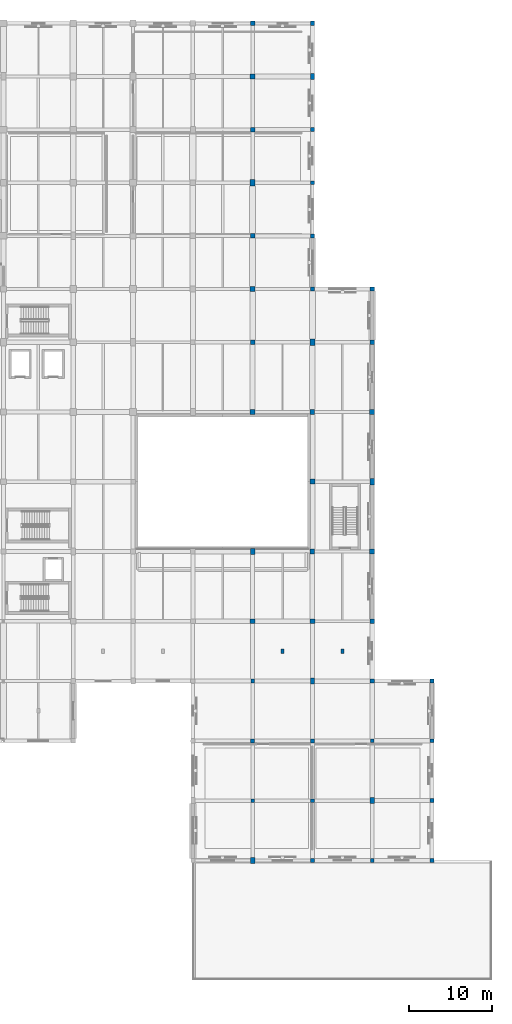
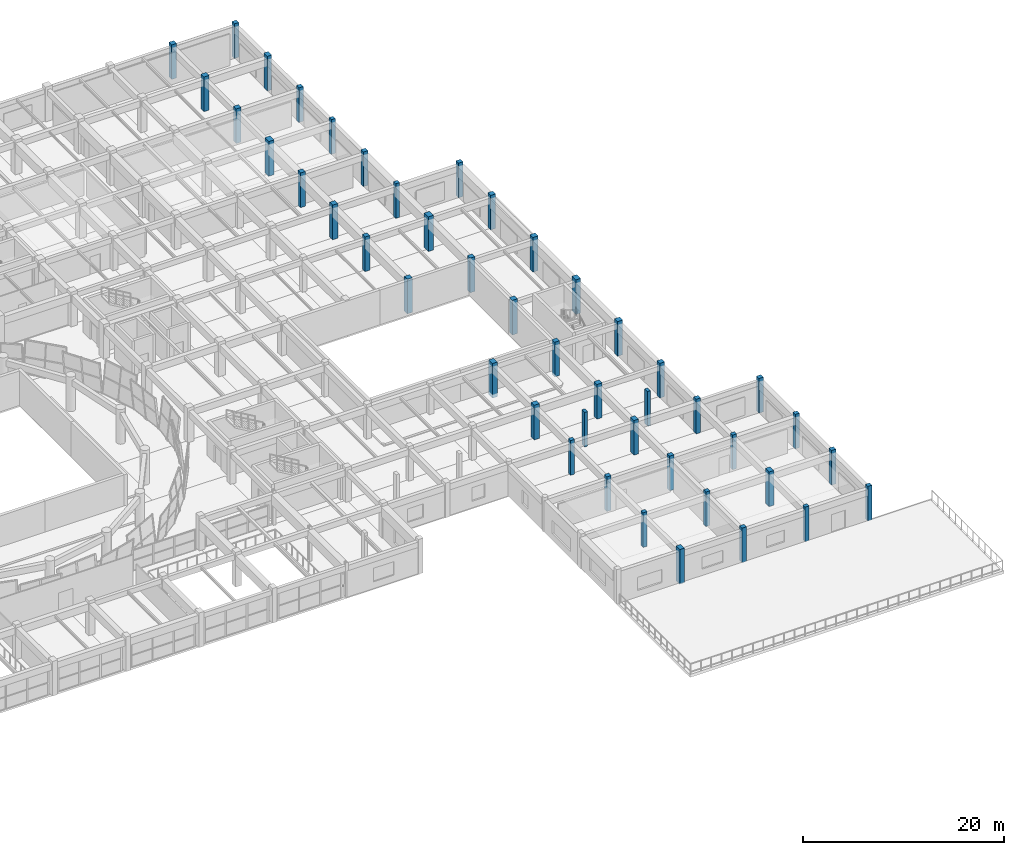
# One storey, part 9 of 71: 45 columns.
"""IFC4 building model written with IfcOpenShell, lengths in metres."""

import ifcopenshell
import ifcopenshell.guid

model = None  # the IFC model being written
_history = None  # IfcOwnerHistory: only IFC2X3 demands one
_inside = {}  # id of a spatial element -> (the spatial element, [elements in it])
_under = {}  # id of a project, library or spatial element -> (it, [spatial elements below it])
_declared = {}  # id of a project -> (the project, [libraries it declares])
_typed = {}  # id of a type object -> (the type object, [elements of that type])
_made_of = {}  # id of a material, layer set ... -> (it, [elements and type objects made of it])


def new_model(schema):
    """Start an empty IFC model of exactly this schema.

    Asked for "IFC4X3", IfcOpenShell would pick the latest addendum, in which some entities
    have other attributes; the version numbers below select the first issue.
    IFC2X3 requires an IfcOwnerHistory on every rooted entity: one is made here for all.
    """
    global model, _history
    if schema == "IFC4X3":
        model = ifcopenshell.file(schema_version=(4, 3, 0, 0))
    else:
        model = ifcopenshell.file(schema=schema)
    _inside.clear()
    _under.clear()
    _declared.clear()
    _typed.clear()
    _made_of.clear()
    _history = None
    if model.schema == "IFC2X3":
        org = make("IfcOrganization", Name="unknown")
        user = make(
            "IfcPersonAndOrganization",
            ThePerson=make("IfcPerson", FamilyName="unknown"),
            TheOrganization=org,
        )
        app = make(
            "IfcApplication",
            ApplicationDeveloper=org,
            Version="unknown",
            ApplicationFullName="unknown",
            ApplicationIdentifier="unknown",
        )
        _history = make(
            "IfcOwnerHistory",
            OwningUser=user,
            OwningApplication=app,
            ChangeAction="ADDED",
            CreationDate=0,
        )
    return model


def make(cls, **values):
    """One entity of the class cls with the attributes given. An attribute that is None is left unset."""
    return model.create_entity(
        cls, **{name: value for name, value in values.items() if value is not None}
    )


def rooted(cls, **values):
    """An entity with a GlobalId (a new one), such as an element, a storey or a relation."""
    return make(cls, GlobalId=ifcopenshell.guid.new(), OwnerHistory=_history, **values)


def si_unit(unit_type, name, prefix=None):
    """IfcSIUnit, for example si_unit("LENGTHUNIT", "METRE", prefix="MILLI")."""
    return make("IfcSIUnit", UnitType=unit_type, Prefix=prefix, Name=name)


def assignment(units):
    """IfcUnitAssignment: the units of a project."""
    return None if units is None else make("IfcUnitAssignment", Units=units)


def point(xyz):
    """IfcCartesianPoint."""
    return None if xyz is None else make("IfcCartesianPoint", Coordinates=xyz)


def direction(xyz):
    """IfcDirection."""
    return None if xyz is None else make("IfcDirection", DirectionRatios=xyz)


def frame(location, z_axis=None, x_axis=None):
    """IfcAxis2Placement3D, a coordinate frame: its origin and axes. An axis left out is left unset."""
    return make(
        "IfcAxis2Placement3D",
        Location=point(location),
        Axis=direction(z_axis),
        RefDirection=direction(x_axis),
    )


def frame_2d(location, x_axis=None):
    """IfcAxis2Placement2D, a coordinate frame in the plane: its origin and x axis."""
    return make(
        "IfcAxis2Placement2D", Location=point(location), RefDirection=direction(x_axis)
    )


def origin():
    """The frame at (0, 0, 0) with its axes left unset."""
    return frame((0.0, 0.0, 0.0))


def origin_2d():
    """The frame at (0, 0) in the plane with its x axis left unset."""
    return frame_2d((0.0, 0.0))


def place(relative_to, where):
    """IfcLocalPlacement: puts the frame where relative to a parent placement (None: the world)."""
    return make(
        "IfcLocalPlacement", PlacementRelTo=relative_to, RelativePlacement=where
    )


def context(
    kind, dimensions, precision=None, world=None, true_north=None, identifier=None
):
    """IfcGeometricRepresentationContext, for example the 3D "Model" context."""
    return make(
        "IfcGeometricRepresentationContext",
        ContextIdentifier=identifier,
        ContextType=kind,
        CoordinateSpaceDimension=dimensions,
        Precision=precision,
        WorldCoordinateSystem=world,
        TrueNorth=true_north,
    )


def subcontext(parent, identifier, kind, view, scale=None):
    """IfcGeometricRepresentationSubContext, for example "Body" below "Model"."""
    return make(
        "IfcGeometricRepresentationSubContext",
        ContextIdentifier=identifier,
        ContextType=kind,
        ParentContext=parent,
        TargetScale=scale,
        TargetView=view,
    )


def project(units=None, contexts=None):
    """IfcProject with its units and contexts."""
    return rooted(
        "IfcProject",
        Name="project",
        RepresentationContexts=contexts,
        UnitsInContext=assignment(units),
    )


def spatial(cls, under=None, at=None, **own):
    """A site, building, storey or space (cls), placed at a placement, below another one or the project."""
    s = rooted(cls, ObjectPlacement=at, **own)
    if under is not None:
        _under.setdefault(under.id(), (under, []))[1].append(s)
    return s


def profile(cls, at=None, kind="AREA", **sizes):
    """A parametric profile (cls). Its sizes go by their IFC names, for example OverallWidth=200.0."""
    return make(cls, ProfileType=kind, Position=at, **sizes)


def rectangle(**sizes):
    """IfcRectangleProfileDef."""
    return profile("IfcRectangleProfileDef", **sizes)


def extrude(swept, where, along, depth):
    """IfcExtrudedAreaSolid: the profile swept, set in the frame where, extruded along a direction by depth."""
    return make(
        "IfcExtrudedAreaSolid",
        SweptArea=swept,
        Position=where,
        ExtrudedDirection=direction(along),
        Depth=depth,
    )


def shape(context_of_items, identifier, shape_type, items):
    """IfcShapeRepresentation: the items that make up one representation, for example the "Body"."""
    return make(
        "IfcShapeRepresentation",
        ContextOfItems=context_of_items,
        RepresentationIdentifier=identifier,
        RepresentationType=shape_type,
        Items=items,
    )


def material(Name=None, Category=None):
    """IfcMaterial."""
    return make("IfcMaterial", Name=Name, Category=Category)


def material_profile(
    of_material, cross_section, Name=None, Category=None, Priority=None
):
    """IfcMaterialProfile: a cross section and its material."""
    return make(
        "IfcMaterialProfile",
        Name=Name,
        Material=of_material,
        Profile=cross_section,
        Priority=Priority,
        Category=Category,
    )


def profile_set(profiles, Name=None, composite=None):
    """IfcMaterialProfileSet."""
    return make(
        "IfcMaterialProfileSet",
        Name=Name,
        MaterialProfiles=profiles,
        CompositeProfile=composite,
    )


def made_of(thing, what):
    """Note that an element or type object is made of a material, layer set ...; save() writes the relation."""
    if what is not None:
        _made_of.setdefault(what.id(), (what, []))[1].append(thing)
    return thing


def type_object(cls, material=None, **own):
    """A type object (cls), such as IfcWallType, which elements share."""
    return made_of(rooted(cls, **own), material)


def element(
    cls,
    number,
    at=None,
    inside=None,
    cuts=None,
    type_object=None,
    material=None,
    context=None,
    identifier="Body",
    shape_type=None,
    held_by="IfcProductDefinitionShape",
    body=None,
    shapes=None,
    **own,
):
    """One element of the class cls, such as IfcWall. Its Tag is "e" and its number.

    at: its placement. inside: the storey or other place that contains it. cuts: it is an
    opening in that element (IfcRelVoidsElement). A single representation is given by context,
    identifier, shape_type and body (its items); several are given by shapes. held_by: the class
    of the entity that holds the representations. save() writes the other relations.
    """
    e = rooted(cls, Tag="e%d" % number, ObjectPlacement=at, **own)
    if body is not None:
        shapes = [shape(context, identifier, shape_type, body)]
    if shapes is not None:
        e.Representation = make(held_by, Representations=shapes)
    if inside is not None:
        _inside.setdefault(inside.id(), (inside, []))[1].append(e)
    if cuts is not None:
        rooted(
            "IfcRelVoidsElement", RelatingBuildingElement=cuts, RelatedOpeningElement=e
        )
    if type_object is not None:
        _typed.setdefault(type_object.id(), (type_object, []))[1].append(e)
    return made_of(e, material)


def aggregate(whole, parts):
    """IfcRelAggregates: a whole, such as a stair, and the parts it consists of."""
    return rooted("IfcRelAggregates", RelatingObject=whole, RelatedObjects=parts)


def save(model, path):
    """Write the relations noted so far, then the file.

    IfcRelAggregates (storeys below a building ...), IfcRelContainedInSpatialStructure (elements
    in a storey), IfcRelDefinesByType, IfcRelAssociatesMaterial and IfcRelDeclares: one each for
    every whole, place, type object, material and project.
    """
    for whole, parts in _under.values():
        aggregate(whole, parts)
    for where, things in _inside.values():
        rooted(
            "IfcRelContainedInSpatialStructure",
            RelatedElements=things,
            RelatingStructure=where,
        )
    for kind, things in _typed.values():
        rooted("IfcRelDefinesByType", RelatedObjects=things, RelatingType=kind)
    for what, things in _made_of.values():
        rooted("IfcRelAssociatesMaterial", RelatedObjects=things, RelatingMaterial=what)
    for by, libraries in _declared.values():
        rooted("IfcRelDeclares", RelatingContext=by, RelatedDefinitions=libraries)
    model.write(path)


model = new_model("IFC4")

# Units and contexts
model_context = context("Model", 3, precision=1e-05, world=origin(), true_north=direction((0.0, 1.0)))
body_context = subcontext(model_context, "Body", "Model", "MODEL_VIEW")
ifc_project = project(units=[si_unit("LENGTHUNIT", "METRE"), si_unit("AREAUNIT", "SQUARE_METRE"), si_unit("VOLUMEUNIT", "CUBIC_METRE"), si_unit("PLANEANGLEUNIT", "RADIAN"), si_unit("MASSUNIT", "GRAM", prefix="KILO")], contexts=[model_context])

# Site, building, storey
site_placement = place(None, origin())
site = spatial("IfcSite", under=ifc_project, at=site_placement, CompositionType="ELEMENT")
building_placement = place(site_placement, origin())
building = spatial("IfcBuilding", under=site, at=building_placement, Name="Korsvaeld Concert Hall", CompositionType="ELEMENT")
storey_placement = place(building_placement, frame((0.0, 0.0, 4.800048828125)))
storey = spatial("IfcBuildingStorey", under=building, at=storey_placement, Name="L01", CompositionType="ELEMENT", Elevation=4.800048828125)

# Columns
ifc_material = material(Name="Concrete C40/50", Category="concrete")
ifc_material_profile_1 = material_profile(ifc_material, rectangle(XDim=0.449951171875, YDim=0.449951171875, at=origin_2d()), Name="RC 450x450")
ifc_profile_set_1 = profile_set([ifc_material_profile_1], Name="Concrete C40/50")
column_type_1 = type_object("IfcColumnType", Name="COL-RC-450x450", PredefinedType="COLUMN", material=ifc_profile_set_1)
for number, where, z_axis, x_axis, name in (
    (1, (139.199951171875, 21.60009765625, 0.0), (0.0, 0.0, 1.0), (1.0, 0.0, 0.0), "Column 19/D L01"),
    (2, (139.199951171875, 36.0, 0.0), (0.0, 0.0, 1.0), (1.0, 0.0, 0.0), "Column 19/F L01"),
    (3, (146.39990234375, 21.60009765625, 0.0), (0.0, 0.0, 1.0), (1.0, 0.0, 0.0), "Column 20/D L01"),
    (4, (146.39990234375, 83.199951171875, 0.0), (0.0, 0.0, 1.0), (1.0, 0.0, 0.0), "Column 20/M L01"),
    (5, (146.39990234375, 96.0, 0.0), (0.0, 0.0, 1.0), (1.0, 0.0, 0.0), "Column 20/P L01"),
    (6, (153.60009765625, 14.39990234375, 0.0), (0.0, 0.0, 1.0), (1.0, 0.0, 0.0), "Column 21/C L01"),
    (7, (153.60009765625, 28.800048828125, 0.0), (0.0, 0.0, 1.0), (1.0, 0.0, 0.0), "Column 21/E L01"),
    (8, (160.800048828125, 14.39990234375, 0.0), (0.0, 0.0, 1.0), (1.0, 0.0, 0.0), "Column 22/C L01"),
    (9, (160.800048828125, 28.800048828125, 0.0), (0.0, 0.0, 1.0), (1.0, 0.0, 0.0), "Column 22/E L01"),
):
    element("IfcColumn", number, at=place(storey_placement, frame(where, z_axis=z_axis, x_axis=x_axis)), inside=storey, type_object=column_type_1, Name=name, PredefinedType="COLUMN", context=body_context, shape_type="SweptSolid", body=[
        extrude(rectangle(XDim=0.449951171875, YDim=0.449951171875, at=origin_2d()), origin(), (0.0, 0.0, 1.0), 4.199951171875),
    ])
ifc_material_profile_2 = material_profile(ifc_material, rectangle(XDim=0.5, YDim=0.5, at=origin_2d()), Name="RC 500x500")
ifc_profile_set_2 = profile_set([ifc_material_profile_2], Name="Concrete C40/50")
column_type_2 = type_object("IfcColumnType", Name="COL-RC-500x500", PredefinedType="COLUMN", material=ifc_profile_set_2)
for number, where, z_axis, x_axis, name in (
    (10, (139.199951171875, 28.800048828125, 0.0), (0.0, 0.0, 1.0), (1.0, 0.0, 0.0), "Column 19/E L01"),
    (11, (146.39990234375, 14.39990234375, 0.0), (0.0, 0.0, 1.0), (1.0, 0.0, 0.0), "Column 20/C L01"),
    (12, (146.39990234375, 28.800048828125, 0.0), (0.0, 0.0, 1.0), (1.0, 0.0, 0.0), "Column 20/E L01"),
    (13, (146.39990234375, 89.60009765625, 0.0), (0.0, 0.0, 1.0), (1.0, 0.0, 0.0), "Column 20/N L01"),
    (14, (146.39990234375, 102.39990234375, 0.0), (0.0, 0.0, 1.0), (1.0, 0.0, 0.0), "Column 20/Q L01"),
    (15, (146.39990234375, 115.199951171875, 0.0), (0.0, 0.0, 1.0), (1.0, 0.0, 0.0), "Column 20/S L01"),
    (16, (153.60009765625, 36.0, 0.0), (0.0, 0.0, 1.0), (1.0, 0.0, 0.0), "Column 21/F L01"),
    (17, (153.60009765625, 83.199951171875, 0.0), (0.0, 0.0, 1.0), (1.0, 0.0, 0.0), "Column 21/M L01"),
    (18, (160.800048828125, 21.60009765625, 0.0), (0.0, 0.0, 1.0), (1.0, 0.0, 0.0), "Column 22/D L01"),
    (19, (160.800048828125, 36.0, 0.0), (0.0, 0.0, 1.0), (1.0, 0.0, 0.0), "Column 22/F L01"),
):
    element("IfcColumn", number, at=place(storey_placement, frame(where, z_axis=z_axis, x_axis=x_axis)), inside=storey, type_object=column_type_2, Name=name, PredefinedType="COLUMN", context=body_context, shape_type="SweptSolid", body=[
        extrude(rectangle(XDim=0.5, YDim=0.5, at=origin_2d()), origin(), (0.0, 0.0, 1.0), 4.199951171875),
    ])
ifc_material_profile_3 = material_profile(ifc_material, rectangle(XDim=0.5, YDim=0.699951171875, at=origin_2d()), Name="RC 500x700")
ifc_profile_set_3 = profile_set([ifc_material_profile_3], Name="Concrete C40/50")
column_type_3 = type_object("IfcColumnType", Name="COL-RC-500x700", PredefinedType="COLUMN", material=ifc_profile_set_3)
for number, where, z_axis, x_axis, name in (
    (20, (146.39990234375, 36.0, 0.0), (0.0, 0.0, 1.0), (1.0, 0.0, 0.0), "Column 20/F L01"),
    (21, (146.39990234375, 108.800048828125, 0.0), (0.0, 0.0, 1.0), (1.0, 0.0, 0.0), "Column 20/R L01"),
):
    element("IfcColumn", number, at=place(storey_placement, frame(where, z_axis=z_axis, x_axis=x_axis)), inside=storey, type_object=column_type_3, Name=name, PredefinedType="COLUMN", context=body_context, shape_type="SweptSolid", body=[
        extrude(rectangle(XDim=0.5, YDim=0.699951171875, at=origin_2d()), origin(), (0.0, 0.0, 1.0), 4.199951171875),
    ])
ifc_material_profile_4 = material_profile(ifc_material, rectangle(XDim=0.550048828125, YDim=0.550048828125, at=origin_2d()), Name="RC 550x550")
ifc_profile_set_4 = profile_set([ifc_material_profile_4], Name="Concrete C40/50")
column_type_4 = type_object("IfcColumnType", Name="COL-RC-550x550", PredefinedType="COLUMN", material=ifc_profile_set_4)
for number, where, z_axis, x_axis, name in (
    (22, (139.199951171875, 76.800048828125, 0.0), (0.0, 0.0, 1.0), (1.0, 0.0, 0.0), "Column 19/L L01"),
    (23, (139.199951171875, 89.60009765625, 0.0), (0.0, 0.0, 1.0), (1.0, 0.0, 0.0), "Column 19/N L01"),
    (24, (139.199951171875, 102.39990234375, 0.0), (0.0, 0.0, 1.0), (1.0, 0.0, 0.0), "Column 19/Q L01"),
    (25, (139.199951171875, 115.199951171875, 0.0), (0.0, 0.0, 1.0), (1.0, 0.0, 0.0), "Column 19/S L01"),
    (26, (146.39990234375, 51.60009765625, 0.0), (0.0, 0.0, 1.0), (1.0, 0.0, 0.0), "Column 20/H L01"),
    (27, (146.39990234375, 68.39990234375, 0.0), (0.0, 0.0, 1.0), (1.0, 0.0, 0.0), "Column 20/K L01"),
    (28, (153.60009765625, 43.199951171875, 0.0), (0.0, 0.0, 1.0), (1.0, 0.0, 0.0), "Column 21/G L01"),
    (29, (153.60009765625, 76.800048828125, 0.0), (0.0, 0.0, 1.0), (1.0, 0.0, 0.0), "Column 21/L L01"),
):
    element("IfcColumn", number, at=place(storey_placement, frame(where, z_axis=z_axis, x_axis=x_axis)), inside=storey, type_object=column_type_4, Name=name, PredefinedType="COLUMN", context=body_context, shape_type="SweptSolid", body=[
        extrude(rectangle(XDim=0.550048828125, YDim=0.550048828125, at=origin_2d()), origin(), (0.0, 0.0, 1.0), 4.199951171875),
    ])
ifc_material_profile_5 = material_profile(ifc_material, rectangle(XDim=0.550048828125, YDim=0.75, at=origin_2d()), Name="RC 550x750")
ifc_profile_set_5 = profile_set([ifc_material_profile_5], Name="Concrete C40/50")
column_type_5 = type_object("IfcColumnType", Name="COL-RC-550x750", PredefinedType="COLUMN", material=ifc_profile_set_5)
for number, where, z_axis, x_axis, name in (
    (30, (139.199951171875, 14.39990234375, 0.0), (0.0, 0.0, 1.0), (1.0, 0.0, 0.0), "Column 19/C L01"),
    (31, (139.199951171875, 51.60009765625, 0.0), (0.0, 0.0, 1.0), (1.0, 0.0, 0.0), "Column 19/H L01"),
    (32, (153.60009765625, 21.60009765625, 0.0), (0.0, 0.0, 1.0), (1.0, 0.0, 0.0), "Column 21/D L01"),
    (33, (153.60009765625, 60.0, 0.0), (0.0, 0.0, 1.0), (1.0, 0.0, 0.0), "Column 21/J L01"),
):
    element("IfcColumn", number, at=place(storey_placement, frame(where, z_axis=z_axis, x_axis=x_axis)), inside=storey, type_object=column_type_5, Name=name, PredefinedType="COLUMN", context=body_context, shape_type="SweptSolid", body=[
        extrude(rectangle(XDim=0.550048828125, YDim=0.75, at=origin_2d()), origin(), (0.0, 0.0, 1.0), 4.199951171875),
    ])
ifc_material_profile_6 = material_profile(ifc_material, rectangle(XDim=0.60009765625, YDim=0.60009765625, at=origin_2d()), Name="RC 600x600")
ifc_profile_set_6 = profile_set([ifc_material_profile_6], Name="Concrete C40/50")
column_type_6 = type_object("IfcColumnType", Name="COL-RC-600x600", PredefinedType="COLUMN", material=ifc_profile_set_6)
for number, where, z_axis, x_axis, name in (
    (34, (139.199951171875, 43.199951171875, 0.0), (0.0, 0.0, 1.0), (1.0, 0.0, 0.0), "Column 19/G L01"),
    (35, (139.199951171875, 68.39990234375, 0.0), (0.0, 0.0, 1.0), (1.0, 0.0, 0.0), "Column 19/K L01"),
    (36, (139.199951171875, 83.199951171875, 0.0), (0.0, 0.0, 1.0), (1.0, 0.0, 0.0), "Column 19/M L01"),
    (37, (139.199951171875, 108.800048828125, 0.0), (0.0, 0.0, 1.0), (1.0, 0.0, 0.0), "Column 19/R L01"),
    (38, (146.39990234375, 43.199951171875, 0.0), (0.0, 0.0, 1.0), (1.0, 0.0, 0.0), "Column 20/G L01"),
    (39, (146.39990234375, 60.0, 0.0), (0.0, 0.0, 1.0), (1.0, 0.0, 0.0), "Column 20/J L01"),
    (40, (153.60009765625, 51.60009765625, 0.0), (0.0, 0.0, 1.0), (1.0, 0.0, 0.0), "Column 21/H L01"),
    (41, (153.60009765625, 68.39990234375, 0.0), (0.0, 0.0, 1.0), (1.0, 0.0, 0.0), "Column 21/K L01"),
):
    element("IfcColumn", number, at=place(storey_placement, frame(where, z_axis=z_axis, x_axis=x_axis)), inside=storey, type_object=column_type_6, Name=name, PredefinedType="COLUMN", context=body_context, shape_type="SweptSolid", body=[
        extrude(rectangle(XDim=0.60009765625, YDim=0.60009765625, at=origin_2d()), origin(), (0.0, 0.0, 1.0), 4.199951171875),
    ])
ifc_material_profile_7 = material_profile(ifc_material, rectangle(XDim=0.60009765625, YDim=0.800048828125, at=origin_2d()), Name="RC 600x800")
ifc_profile_set_7 = profile_set([ifc_material_profile_7], Name="Concrete C40/50")
column_type_7 = type_object("IfcColumnType", Name="COL-RC-600x800", PredefinedType="COLUMN", material=ifc_profile_set_7)
for number, where, z_axis, x_axis, name in (
    (42, (139.199951171875, 96.0, 0.0), (0.0, 0.0, 1.0), (1.0, 0.0, 0.0), "Column 19/P L01"),
    (43, (146.39990234375, 76.800048828125, 0.0), (0.0, 0.0, 1.0), (1.0, 0.0, 0.0), "Column 20/L L01"),
):
    element("IfcColumn", number, at=place(storey_placement, frame(where, z_axis=z_axis, x_axis=x_axis)), inside=storey, type_object=column_type_7, Name=name, PredefinedType="COLUMN", context=body_context, shape_type="SweptSolid", body=[
        extrude(rectangle(XDim=0.60009765625, YDim=0.800048828125, at=origin_2d()), origin(), (0.0, 0.0, 1.0), 4.199951171875),
    ])
ifc_material_profile_8 = material_profile(ifc_material, rectangle(XDim=0.35009765625, YDim=0.550048828125, at=origin_2d()), Name="RC 350x550")
ifc_profile_set_8 = profile_set([ifc_material_profile_8], Name="Concrete C40/50")
column_type_8 = type_object("IfcColumnType", Name="PIL-RC-350x550", PredefinedType="PILASTER", material=ifc_profile_set_8)
for number, where, z_axis, x_axis, name in (
    (44, (142.800048828125, 39.60009765625, 0.0), (0.0, 0.0, 1.0), (1.0, 0.0, 0.0), "Colonnade pilaster PL-09 L01"),
    (45, (150.0, 39.60009765625, 0.0), (0.0, 0.0, 1.0), (1.0, 0.0, 0.0), "Colonnade pilaster PL-10 L01"),
):
    element("IfcColumn", number, at=place(storey_placement, frame(where, z_axis=z_axis, x_axis=x_axis)), inside=storey, type_object=column_type_8, Name=name, PredefinedType="PILASTER", context=body_context, shape_type="SweptSolid", body=[
        extrude(rectangle(XDim=0.35009765625, YDim=0.550048828125, at=origin_2d()), origin(), (0.0, 0.0, 1.0), 4.199951171875),
    ])

save(model, "model.ifc")
